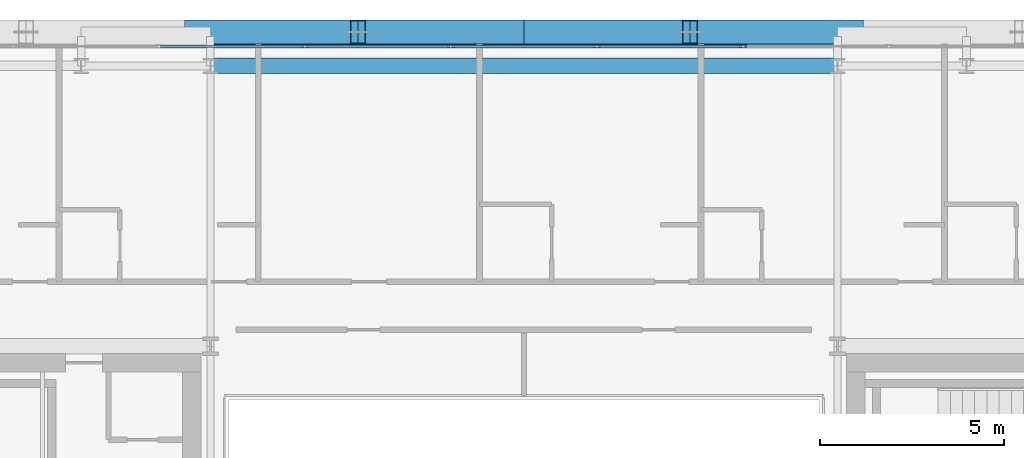
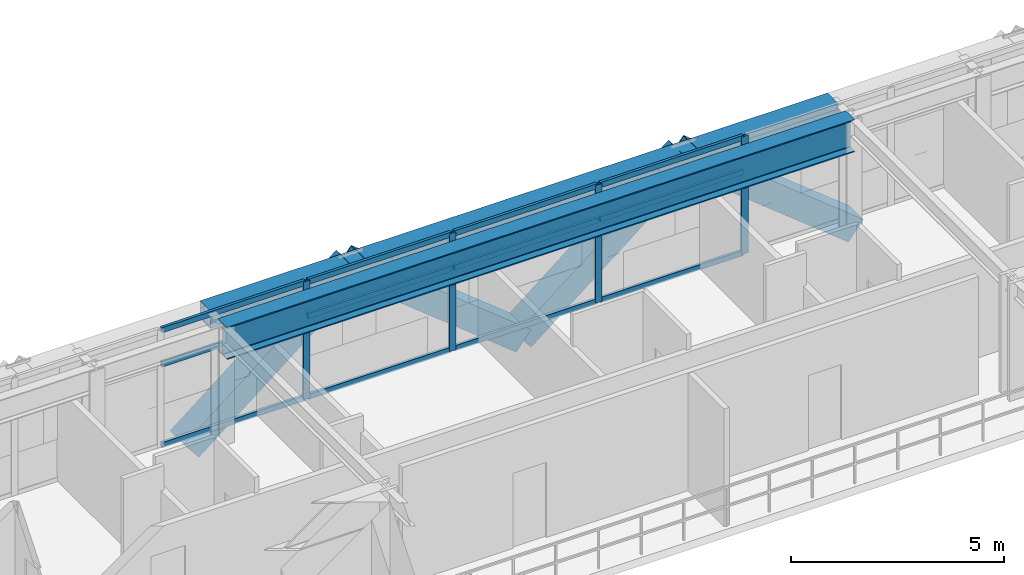
# One storey, part 17 of 31: 20 members, 2 beams, 1 element without a shape of its own.
"""IFC4 building model written with IfcOpenShell, lengths in metres."""

from ifc_helpers import new_model, si_unit, direction, frame, origin, origin_2d, place, context, subcontext, project, spatial, hollow_rectangle, i_section, extrude, source, transform, mapped, material, layer, layer_set, material_profile, profile_set, type_object, element, aggregate, save


model = new_model("IFC4")

# Units and contexts
model_context = context("Model", 3, precision=1e-05, world=origin(), true_north=direction((0.0, 1.0)))
body_context = subcontext(model_context, "Body", "Model", "MODEL_VIEW")
ifc_project = project(units=[si_unit("LENGTHUNIT", "METRE"), si_unit("AREAUNIT", "SQUARE_METRE"), si_unit("VOLUMEUNIT", "CUBIC_METRE"), si_unit("PLANEANGLEUNIT", "RADIAN"), si_unit("MASSUNIT", "GRAM", prefix="KILO")], contexts=[model_context])

# Site, building, storey
site_placement = place(None, origin())
site = spatial("IfcSite", under=ifc_project, at=site_placement, CompositionType="ELEMENT")
building_placement = place(site_placement, origin())
building = spatial("IfcBuilding", under=site, at=building_placement, Name="Ocotamira Hotel", CompositionType="ELEMENT")
storey_placement = place(building_placement, frame((0.0, 0.0, 210.0)))
storey = spatial("IfcBuildingStorey", under=building, at=storey_placement, Name="L53", CompositionType="ELEMENT", Elevation=210.0)

# Beams
ifc_material_1 = material(Name="Steel ASTM A992 Grade 50", Category="steel")
ifc_material_profile_1 = material_profile(ifc_material_1, i_section(OverallWidth=0.41796875, OverallDepth=0.927001953125, WebThickness=0.019287109375, FlangeThickness=0.031982421875, FilletRadius=0.02392578125, at=origin_2d()), Name="W36X231")
ifc_profile_set_1 = profile_set([ifc_material_profile_1], Name="Steel ASTM A992 Grade 50")
beam_type_1 = type_object("IfcBeamType", Name="BM-GIRD-W36X231", PredefinedType="BEAM", material=ifc_profile_set_1)
shared_shape_1 = source(origin(), body_context, "Body", "SweptSolid", [
    extrude(i_section(OverallWidth=0.41796875, OverallDepth=0.927001953125, WebThickness=0.019287109375, FlangeThickness=0.031982421875, FilletRadius=0.02392578125, at=origin_2d()), origin(), (0.0, 0.0, 1.0), 17.0),
])
beam_1_placement = place(storey_placement, frame((23.5, 45.050048828125, 2.906494140625), z_axis=(1.0, 0.0, 0.0), x_axis=(0.0, 1.0, 0.0)))
element("IfcBeam", 1, at=beam_1_placement, inside=storey, type_object=beam_type_1, Name="L53 Girder Y45.05 X23.5-40.5", PredefinedType="BEAM", context=body_context, shape_type="MappedRepresentation", body=[
    mapped(shared_shape_1, transform((0.0, 0.0, 0.0), scale=1.0)),
])
ifc_material_2 = material(Name="Steel ASTM A500 Grade C", Category="steel")
ifc_material_profile_2 = material_profile(ifc_material_2, hollow_rectangle(XDim=0.5, YDim=0.5, WallThickness=0.02001953125, at=origin_2d()), Name="HSS500X500X20")
ifc_profile_set_2 = profile_set([ifc_material_profile_2], Name="Steel ASTM A500 Grade C")
beam_type_2 = type_object("IfcBeamType", Name="BM-SPAN-HSS500", PredefinedType="USERDEFINED", material=ifc_profile_set_2)
shared_shape_2 = source(origin(), body_context, "Body", "SweptSolid", [
    extrude(hollow_rectangle(XDim=0.5, YDim=0.5, WallThickness=0.02001953125, at=origin_2d()), origin(), (0.0, 0.0, 1.0), 17.0),
])
beam_2_placement = place(storey_placement, frame((23.5, 45.85009765625, 3.1201171875), z_axis=(1.0, 0.0, 0.0), x_axis=(0.0, 1.0, 0.0)))
element("IfcBeam", 2, at=beam_2_placement, inside=storey, type_object=beam_type_2, Name="L53 Edge Spandrel N X23.5-40.5", ObjectType="SPANDREL", PredefinedType="USERDEFINED", context=body_context, shape_type="MappedRepresentation", body=[
    mapped(shared_shape_2, transform((0.0, 0.0, 0.0), scale=1.0)),
])

# Members
ifc_material_3 = material(Name="Pale-metal coated steel ASTM A913 Grade 65", Category="steel")
ifc_material_profile_3 = material_profile(ifc_material_3, hollow_rectangle(XDim=0.64990234375, YDim=0.64990234375, WallThickness=0.02197265625, at=origin_2d()), Name="BOX650X650X22")
ifc_profile_set_3 = profile_set([ifc_material_profile_3], Name="Pale-metal coated steel ASTM A913 Grade 65")
member_type_1 = type_object("IfcMemberType", Name="MEM-EXO-BOX650", PredefinedType="BRACE", material=ifc_profile_set_3)
shared_shape_3 = source(origin(), body_context, "Body", "SweptSolid", [
    extrude(hollow_rectangle(XDim=0.64990234375, YDim=0.64990234375, WallThickness=0.02197265625, at=origin_2d()), origin(), (0.0, 0.0, 1.0), 5.762939453125),
])
for number, where, z_axis, x_axis, name in (
    (3, (23.0, 45.969970703125, -0.47998046875), (0.780860543151, 0.0, 0.624705380279), (0.0, 1.0, 0.0), "L53 Exoskeleton Diagrid N1.1"),
    (4, (32.0, 45.969970703125, -0.47998046875), (-0.780860543151, 0.0, 0.624705380279), (0.0, -1.0, 0.0), "L53 Exoskeleton Diagrid N1.2"),
    (5, (32.0, 45.969970703125, -0.47998046875), (0.780860543151, 0.0, 0.624705380279), (0.0, 1.0, 0.0), "L53 Exoskeleton Diagrid N2.1"),
    (6, (41.0, 45.969970703125, -0.47998046875), (-0.780860543151, 0.0, 0.624705380279), (0.0, -1.0, 0.0), "L53 Exoskeleton Diagrid N2.2"),
):
    element("IfcMember", number, at=place(storey_placement, frame(where, z_axis=z_axis, x_axis=x_axis)), inside=storey, type_object=member_type_1, Name=name, PredefinedType="BRACE", context=body_context, shape_type="MappedRepresentation", body=[
        mapped(shared_shape_3, transform((0.0, 0.0, 0.0), scale=1.0)),
    ])

# Curtain wall, members
ifc_material_4 = material(Name="Anodised pale-metal aluminium and solar glass", Category="aluminium")
ifc_layer = layer(ifc_material_4, 0.199951171875)
ifc_layer_set = layer_set([ifc_layer], Name="Anodised pale-metal aluminium and solar glass")
curtain_wall_type = type_object("IfcCurtainWallType", Name="CW-SYS4-Z3", PredefinedType="NOTDEFINED", material=ifc_layer_set)
curtain_wall_placement = place(storey_placement, origin())
curtain_wall = element("IfcCurtainWall", 7, at=curtain_wall_placement, inside=storey, type_object=curtain_wall_type, Name="L53 Curtain Wall CW-4 CW-L53-N", PredefinedType="NOTDEFINED")
ifc_material_5 = material(Name="Anodised pale-metal aluminium 6063-T6", Category="aluminium")
ifc_material_profile_4 = material_profile(ifc_material_5, hollow_rectangle(XDim=0.074951171875, YDim=0.14990234375, WallThickness=0.006103515625, at=origin_2d()), Name="HSS150X75X6")
ifc_profile_set_4 = profile_set([ifc_material_profile_4], Name="Anodised pale-metal aluminium 6063-T6")
member_type_2 = type_object("IfcMemberType", Name="CWT-150X75", PredefinedType="USERDEFINED", material=ifc_profile_set_4)
shared_shape_4 = source(origin(), body_context, "Body", "SweptSolid", [
    extrude(hollow_rectangle(XDim=0.074951171875, YDim=0.14990234375, WallThickness=0.006103515625, at=origin_2d()), origin(), (0.0, 0.0, 1.0), 3.87548828125),
])
member_1_placement = place(storey_placement, frame((22.151123046875, 45.580078125, 0.03759765625), z_axis=(1.0, 0.0, 0.0), x_axis=(0.0, 1.0, 0.0)))
member_1 = element("IfcMember", 8, at=member_1_placement, type_object=member_type_2, Name="CW-4 transom 3.1", ObjectType="TRANSOM", PredefinedType="USERDEFINED", context=body_context, shape_type="MappedRepresentation", body=[
    mapped(shared_shape_4, transform((0.0, 0.0, 0.0), scale=1.0)),
])
member_2_placement = place(storey_placement, frame((22.151123046875, 45.580078125, 2.35009765625), z_axis=(1.0, 0.0, 0.0), x_axis=(0.0, 1.0, 0.0)))
member_2 = element("IfcMember", 9, at=member_2_placement, type_object=member_type_2, Name="CW-4 transom 3.2", ObjectType="TRANSOM", PredefinedType="USERDEFINED", context=body_context, shape_type="MappedRepresentation", body=[
    mapped(shared_shape_4, transform((0.0, 0.0, 0.0), scale=1.0)),
])
member_3_placement = place(storey_placement, frame((22.151123046875, 45.580078125, 3.33251953125), z_axis=(1.0, 0.0, 0.0), x_axis=(0.0, 1.0, 0.0)))
member_3 = element("IfcMember", 10, at=member_3_placement, type_object=member_type_2, Name="CW-4 transom 3.3", ObjectType="TRANSOM", PredefinedType="USERDEFINED", context=body_context, shape_type="MappedRepresentation", body=[
    mapped(shared_shape_4, transform((0.0, 0.0, 0.0), scale=1.0)),
])
member_4_placement = place(storey_placement, frame((26.106689453125, 45.580078125, 0.03759765625), z_axis=(1.0, 0.0, 0.0), x_axis=(0.0, 1.0, 0.0)))
member_4 = element("IfcMember", 11, at=member_4_placement, type_object=member_type_2, Name="CW-4 transom 4.1", ObjectType="TRANSOM", PredefinedType="USERDEFINED", context=body_context, shape_type="MappedRepresentation", body=[
    mapped(shared_shape_4, transform((0.0, 0.0, 0.0), scale=1.0)),
])
member_5_placement = place(storey_placement, frame((26.106689453125, 45.580078125, 2.35009765625), z_axis=(1.0, 0.0, 0.0), x_axis=(0.0, 1.0, 0.0)))
member_5 = element("IfcMember", 12, at=member_5_placement, type_object=member_type_2, Name="CW-4 transom 4.2", ObjectType="TRANSOM", PredefinedType="USERDEFINED", context=body_context, shape_type="MappedRepresentation", body=[
    mapped(shared_shape_4, transform((0.0, 0.0, 0.0), scale=1.0)),
])
member_6_placement = place(storey_placement, frame((26.106689453125, 45.580078125, 3.33251953125), z_axis=(1.0, 0.0, 0.0), x_axis=(0.0, 1.0, 0.0)))
member_6 = element("IfcMember", 13, at=member_6_placement, type_object=member_type_2, Name="CW-4 transom 4.3", ObjectType="TRANSOM", PredefinedType="USERDEFINED", context=body_context, shape_type="MappedRepresentation", body=[
    mapped(shared_shape_4, transform((0.0, 0.0, 0.0), scale=1.0)),
])
member_7_placement = place(storey_placement, frame((30.062255859375, 45.580078125, 0.03759765625), z_axis=(1.0, 0.0, 0.0), x_axis=(0.0, 1.0, 0.0)))
member_7 = element("IfcMember", 14, at=member_7_placement, type_object=member_type_2, Name="CW-4 transom 5.1", ObjectType="TRANSOM", PredefinedType="USERDEFINED", context=body_context, shape_type="MappedRepresentation", body=[
    mapped(shared_shape_4, transform((0.0, 0.0, 0.0), scale=1.0)),
])
member_8_placement = place(storey_placement, frame((30.062255859375, 45.580078125, 2.35009765625), z_axis=(1.0, 0.0, 0.0), x_axis=(0.0, 1.0, 0.0)))
member_8 = element("IfcMember", 15, at=member_8_placement, type_object=member_type_2, Name="CW-4 transom 5.2", ObjectType="TRANSOM", PredefinedType="USERDEFINED", context=body_context, shape_type="MappedRepresentation", body=[
    mapped(shared_shape_4, transform((0.0, 0.0, 0.0), scale=1.0)),
])
member_9_placement = place(storey_placement, frame((30.062255859375, 45.580078125, 3.33251953125), z_axis=(1.0, 0.0, 0.0), x_axis=(0.0, 1.0, 0.0)))
member_9 = element("IfcMember", 16, at=member_9_placement, type_object=member_type_2, Name="CW-4 transom 5.3", ObjectType="TRANSOM", PredefinedType="USERDEFINED", context=body_context, shape_type="MappedRepresentation", body=[
    mapped(shared_shape_4, transform((0.0, 0.0, 0.0), scale=1.0)),
])
member_10_placement = place(storey_placement, frame((34.017822265625, 45.580078125, 0.03759765625), z_axis=(1.0, 0.0, 0.0), x_axis=(0.0, 1.0, 0.0)))
member_10 = element("IfcMember", 17, at=member_10_placement, type_object=member_type_2, Name="CW-4 transom 6.1", ObjectType="TRANSOM", PredefinedType="USERDEFINED", context=body_context, shape_type="MappedRepresentation", body=[
    mapped(shared_shape_4, transform((0.0, 0.0, 0.0), scale=1.0)),
])
member_11_placement = place(storey_placement, frame((34.017822265625, 45.580078125, 2.35009765625), z_axis=(1.0, 0.0, 0.0), x_axis=(0.0, 1.0, 0.0)))
member_11 = element("IfcMember", 18, at=member_11_placement, type_object=member_type_2, Name="CW-4 transom 6.2", ObjectType="TRANSOM", PredefinedType="USERDEFINED", context=body_context, shape_type="MappedRepresentation", body=[
    mapped(shared_shape_4, transform((0.0, 0.0, 0.0), scale=1.0)),
])
member_12_placement = place(storey_placement, frame((34.017822265625, 45.580078125, 3.33251953125), z_axis=(1.0, 0.0, 0.0), x_axis=(0.0, 1.0, 0.0)))
member_12 = element("IfcMember", 19, at=member_12_placement, type_object=member_type_2, Name="CW-4 transom 6.3", ObjectType="TRANSOM", PredefinedType="USERDEFINED", context=body_context, shape_type="MappedRepresentation", body=[
    mapped(shared_shape_4, transform((0.0, 0.0, 0.0), scale=1.0)),
])
ifc_material_profile_5 = material_profile(ifc_material_5, hollow_rectangle(XDim=0.080078125, YDim=0.179931640625, WallThickness=0.006103515625, at=origin_2d()), Name="HSS180X80X6")
ifc_profile_set_5 = profile_set([ifc_material_profile_5], Name="Anodised pale-metal aluminium 6063-T6")
member_type_3 = type_object("IfcMemberType", Name="CWM-180X75", PredefinedType="MULLION", material=ifc_profile_set_5)
shared_shape_5 = source(origin(), body_context, "Body", "SweptSolid", [
    extrude(hollow_rectangle(XDim=0.080078125, YDim=0.179931640625, WallThickness=0.006103515625, at=origin_2d()), origin(), (0.0, 0.0, 1.0), 3.3701171875),
])
member_13_placement = place(storey_placement, frame((26.066650390625, 45.580078125, 0.0), z_axis=(0.0, 0.0, 1.0), x_axis=(0.0, 1.0, 0.0)))
member_13 = element("IfcMember", 20, at=member_13_placement, type_object=member_type_3, Name="CW-4 mullion 4", PredefinedType="MULLION", context=body_context, shape_type="MappedRepresentation", body=[
    mapped(shared_shape_5, transform((0.0, 0.0, 0.0), scale=1.0)),
])
member_14_placement = place(storey_placement, frame((30.022216796875, 45.580078125, 0.0), z_axis=(0.0, 0.0, 1.0), x_axis=(0.0, 1.0, 0.0)))
member_14 = element("IfcMember", 21, at=member_14_placement, type_object=member_type_3, Name="CW-4 mullion 5", PredefinedType="MULLION", context=body_context, shape_type="MappedRepresentation", body=[
    mapped(shared_shape_5, transform((0.0, 0.0, 0.0), scale=1.0)),
])
member_15_placement = place(storey_placement, frame((33.977783203125, 45.580078125, 0.0), z_axis=(0.0, 0.0, 1.0), x_axis=(0.0, 1.0, 0.0)))
member_15 = element("IfcMember", 22, at=member_15_placement, type_object=member_type_3, Name="CW-4 mullion 6", PredefinedType="MULLION", context=body_context, shape_type="MappedRepresentation", body=[
    mapped(shared_shape_5, transform((0.0, 0.0, 0.0), scale=1.0)),
])
member_16_placement = place(storey_placement, frame((37.933349609375, 45.580078125, 0.0), z_axis=(0.0, 0.0, 1.0), x_axis=(0.0, 1.0, 0.0)))
member_16 = element("IfcMember", 23, at=member_16_placement, type_object=member_type_3, Name="CW-4 mullion 7", PredefinedType="MULLION", context=body_context, shape_type="MappedRepresentation", body=[
    mapped(shared_shape_5, transform((0.0, 0.0, 0.0), scale=1.0)),
])
aggregate(curtain_wall, [member_13, member_14, member_15, member_16, member_1, member_2, member_3, member_4, member_5, member_6, member_7, member_8, member_9, member_10, member_11, member_12])

save(model, "model.ifc")
